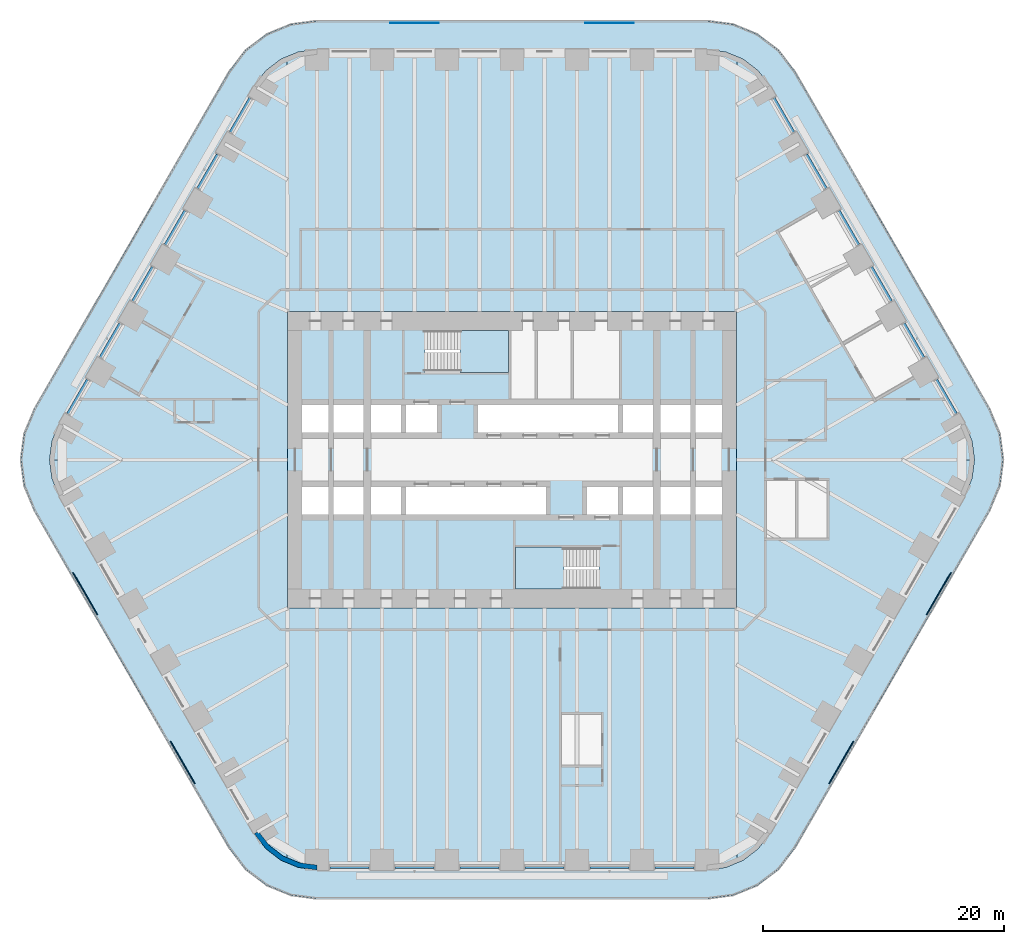
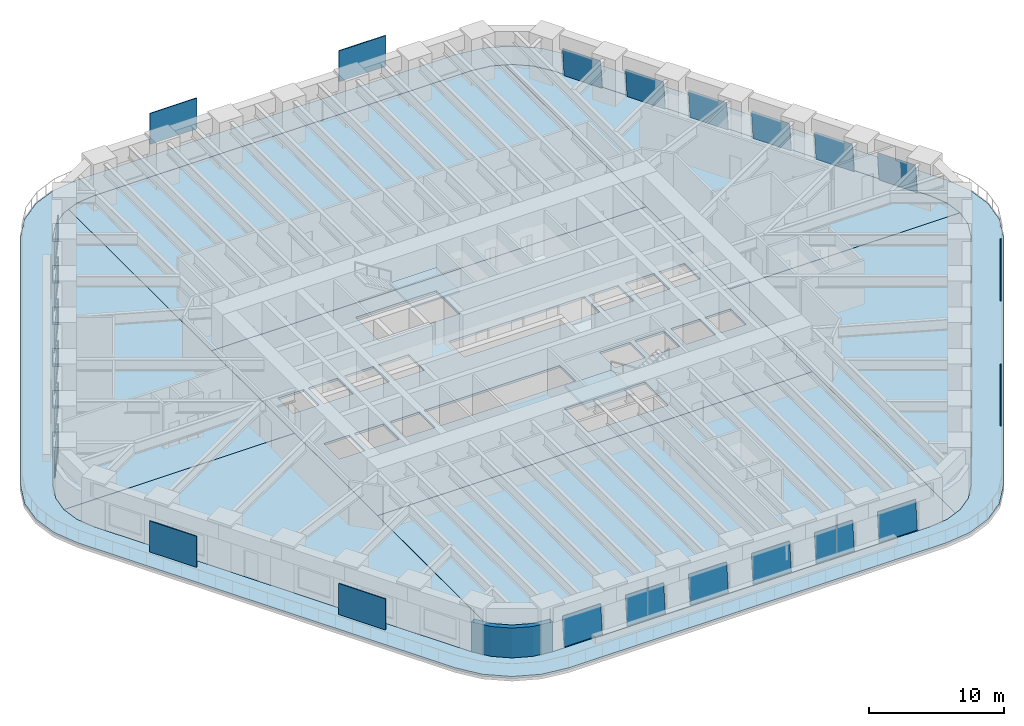
# One storey, part 15 of 23: 24 plates, 10 slabs, 1 wall, 20 elements without a shape of their own.
"""IFC4 building model written with IfcOpenShell, lengths in metres."""

from ifc_helpers import new_model, si_unit, direction, frame, origin, origin_2d, place, context, subcontext, project, spatial, polyline, rectangle, outline, extrude, material, layer, layer_set, type_object, element, aggregate, save


model = new_model("IFC4")

# Units and contexts
model_context = context("Model", 3, precision=1e-05, world=origin(), true_north=direction((0.0, 1.0)))
body_context = subcontext(model_context, "Body", "Model", "MODEL_VIEW")
ifc_project = project(units=[si_unit("LENGTHUNIT", "METRE"), si_unit("AREAUNIT", "SQUARE_METRE"), si_unit("VOLUMEUNIT", "CUBIC_METRE"), si_unit("PLANEANGLEUNIT", "RADIAN"), si_unit("MASSUNIT", "GRAM", prefix="KILO")], contexts=[model_context])

# Site, building, storey
site_placement = place(None, origin())
site = spatial("IfcSite", under=ifc_project, at=site_placement, CompositionType="ELEMENT")
building_placement = place(site_placement, origin())
building = spatial("IfcBuilding", under=site, at=building_placement, Name="Tarfa Lantern Tower", CompositionType="ELEMENT")
storey_placement = place(building_placement, frame((0.0, 0.0, 48.699951171875)))
storey = spatial("IfcBuildingStorey", under=building, at=storey_placement, Name="L10", CompositionType="ELEMENT", Elevation=48.699951171875)

# Slab
ifc_material_1 = material(Name="Concrete C40/50", Category="concrete")
ifc_layer_1 = layer(ifc_material_1, 0.199951171875)
ifc_layer_set_1 = layer_set([ifc_layer_1], Name="BS2 BALCONY SLAB 200")
slab_type_1 = type_object("IfcSlabType", Name="BS2 BALCONY SLAB 200", PredefinedType="FLOOR", material=ifc_layer_set_1)
slab_1_placement = place(storey_placement, frame((0.0, 0.0, -0.199951171875)))
element("IfcSlab", 1, at=slab_1_placement, inside=storey, type_object=slab_type_1, Name="Balcony L10", PredefinedType="FLOOR", context=body_context, shape_type="SweptSolid", body=[
    extrude(outline(polyline([(39.606201171875, 4.199951171875), (23.4404296875, 32.199951171875), (22.10546875, 33.939697265625), (20.36572265625, 35.274658203125), (18.33984375, 36.11376953125), (16.165771484375, 36.39990234375), (-16.165771484375, 36.39990234375), (-18.33984375, 36.11376953125), (-20.36572265625, 35.274658203125), (-22.10546875, 33.939697265625), (-23.4404296875, 32.199951171875), (-39.606201171875, 4.199951171875), (-40.4453125, 2.174072265625), (-40.731689453125, 0.0), (-40.4453125, -2.174072265625), (-39.606201171875, -4.199951171875), (-23.4404296875, -32.199951171875), (-22.10546875, -33.939697265625), (-20.36572265625, -35.274658203125), (-18.33984375, -36.11376953125), (-16.165771484375, -36.39990234375), (16.165771484375, -36.39990234375), (18.33984375, -36.11376953125), (20.36572265625, -35.274658203125), (22.10546875, -33.939697265625), (23.4404296875, -32.199951171875), (39.606201171875, -4.199951171875), (40.4453125, -2.174072265625), (40.731689453125, 0.0), (40.4453125, 2.174072265625), (39.606201171875, 4.199951171875)]), holes=[polyline([(37.52783203125, 3.0), (21.362060546875, 31.0), (20.408447265625, 32.24267578125), (19.165771484375, 33.196044921875), (17.71875, 33.795654296875), (16.165771484375, 34.0), (-16.165771484375, 34.0), (-17.71875, 33.795654296875), (-19.165771484375, 33.196044921875), (-20.408447265625, 32.24267578125), (-21.362060546875, 31.0), (-37.52783203125, 3.0), (-38.127197265625, 1.552978515625), (-38.33154296875, 0.0), (-38.127197265625, -1.552978515625), (-37.52783203125, -3.0), (-21.362060546875, -31.0), (-20.408447265625, -32.24267578125), (-19.165771484375, -33.196044921875), (-17.71875, -33.795654296875), (-16.165771484375, -34.0), (16.165771484375, -34.0), (17.71875, -33.795654296875), (19.165771484375, -33.196044921875), (20.408447265625, -32.24267578125), (21.362060546875, -31.0), (37.52783203125, -3.0), (38.127197265625, -1.552978515625), (38.33154296875, 0.0), (38.127197265625, 1.552978515625), (37.52783203125, 3.0)])]), origin(), (0.0, 0.0, 1.0), 0.199951171875),
])

# Curtain wall, plate
ifc_material_2 = material(Name="Aluminium framed curtain wall", Category="aluminium")
curtain_wall_type = type_object("IfcCurtainWallType", Name="CW1 CANTED GLAZING LOW ZONE 2700", PredefinedType="USERDEFINED", material=ifc_material_2)
curtain_wall_1_placement = place(storey_placement, origin())
curtain_wall_1 = element("IfcCurtainWall", 2, at=curtain_wall_1_placement, inside=storey, type_object=curtain_wall_type, Name="CW1 NE L10", ObjectType="CURTAIN WALL", PredefinedType="USERDEFINED")
ifc_material_3 = material(Name="Laminated double glazing", Category="glass")
ifc_layer_2 = layer(ifc_material_3, 0.028076171875)
ifc_layer_set_2 = layer_set([ifc_layer_2], Name="CWP1 DOUBLE GLAZED PANEL")
plate_type_1 = type_object("IfcPlateType", Name="CWP1 DOUBLE GLAZED PANEL", PredefinedType="CURTAIN_PANEL", material=ifc_layer_set_2)
plate_1_placement = place(storey_placement, frame((36.90869140625, 3.872314453125, 0.0), z_axis=(0.862338266797, 0.497864384763, 0.09221587717), x_axis=(-0.499995082658, 0.86602824279, 2.978908e-06)))
plate_1 = element("IfcPlate", 3, at=plate_1_placement, type_object=plate_type_1, Name="CW1 panel 1.1", PredefinedType="CURTAIN_PANEL", context=body_context, shape_type="SweptSolid", body=[
    extrude(outline(polyline([(0.0, 0.0), (3.258639560562134, 0.0), (3.2585208536427297, 2.646275738901332), (3.3621925729925773e-06, 2.646295235988971), (0.0, 0.0)])), origin(), (0.0, 0.0, -1.0), 0.028076171875),
])
aggregate(curtain_wall_1, [plate_1])

curtain_wall_2_placement = place(storey_placement, origin())
curtain_wall_2 = element("IfcCurtainWall", 4, at=curtain_wall_2_placement, inside=storey, type_object=curtain_wall_type, Name="CW1 NE L10", ObjectType="CURTAIN WALL", PredefinedType="USERDEFINED")
plate_2_placement = place(storey_placement, frame((34.21435546875, 8.5390625, 0.0), z_axis=(0.862325290636, 0.497894194109, 0.092176269198), x_axis=(-0.500022939057, 0.866012159509, 0.0)))
plate_2 = element("IfcPlate", 5, at=plate_2_placement, type_object=plate_type_1, Name="CW1 panel 1.1", PredefinedType="CURTAIN_PANEL", context=body_context, shape_type="SweptSolid", body=[
    extrude(outline(polyline([(0.0, 0.0), (3.2586395622623687, 0.0), (3.2585208519425555, 2.6462757409948594), (-0.0001187103198132533, 2.6462757409948594), (0.0, 0.0)])), origin(), (0.0, 0.0, -1.0), 0.028076171875),
])
aggregate(curtain_wall_2, [plate_2])

curtain_wall_3_placement = place(storey_placement, origin())
curtain_wall_3 = element("IfcCurtainWall", 6, at=curtain_wall_3_placement, inside=storey, type_object=curtain_wall_type, Name="CW1 NE L10", ObjectType="CURTAIN WALL", PredefinedType="USERDEFINED")
plate_3_placement = place(storey_placement, frame((31.52001953125, 13.20556640625, 0.0), z_axis=(0.862341934097, 0.49786650205, 0.092170140692), x_axis=(-0.499994605049, 0.866028518533, -2.977555e-06)))
plate_3 = element("IfcPlate", 7, at=plate_3_placement, type_object=plate_type_1, Name="CW1 panel 1.1", PredefinedType="CURTAIN_PANEL", context=body_context, shape_type="SweptSolid", body=[
    extrude(outline(polyline([(0.0, 0.0), (3.258517491508472, 2.7755575615628914e-17), (3.2587164564684317, 2.646283977845527), (7.689596458644864e-05, 2.6462644896978658), (0.0, 0.0)])), origin(), (0.0, 0.0, -1.0), 0.028076171875),
])
aggregate(curtain_wall_3, [plate_3])

curtain_wall_4_placement = place(storey_placement, origin())
curtain_wall_4 = element("IfcCurtainWall", 8, at=curtain_wall_4_placement, inside=storey, type_object=curtain_wall_type, Name="CW1 NE L10", ObjectType="CURTAIN WALL", PredefinedType="USERDEFINED")
plate_4_placement = place(storey_placement, frame((28.82568359375, 17.872314453125, 0.0), z_axis=(0.862338266797, 0.497864384763, 0.09221587717), x_axis=(-0.499994604812, 0.86602851867, -2.97902e-06)))
plate_4 = element("IfcPlate", 9, at=plate_4_placement, type_object=plate_type_1, Name="CW1 panel 1.1", PredefinedType="CURTAIN_PANEL", context=body_context, shape_type="SweptSolid", body=[
    extrude(outline(polyline([(0.0, 0.0), (3.2585174915084862, -2.7755575615628914e-17), (3.2585050197979823, 2.646295235961718), (-0.000134540705819584, 2.646275738143688), (0.0, 0.0)])), origin(), (0.0, 0.0, -1.0), 0.028076171875),
])
aggregate(curtain_wall_4, [plate_4])

curtain_wall_5_placement = place(storey_placement, origin())
curtain_wall_5 = element("IfcCurtainWall", 10, at=curtain_wall_5_placement, inside=storey, type_object=curtain_wall_type, Name="CW1 NE L10", ObjectType="CURTAIN WALL", PredefinedType="USERDEFINED")
plate_5_placement = place(storey_placement, frame((26.13134765625, 22.5390625, 0.0), z_axis=(0.862338266797, 0.497864384763, 0.09221587717), x_axis=(-0.499994604812, 0.86602851867, -2.97902e-06)))
plate_5 = element("IfcPlate", 11, at=plate_5_placement, type_object=plate_type_1, Name="CW1 panel 1.1", PredefinedType="CURTAIN_PANEL", context=body_context, shape_type="SweptSolid", body=[
    extrude(outline(polyline([(0.0, 0.0), (3.2585174915084862, -2.7755575615628914e-17), (3.2585050197979823, 2.646295235961718), (-0.000134540705819584, 2.646275738143688), (0.0, 0.0)])), origin(), (0.0, 0.0, -1.0), 0.028076171875),
])
aggregate(curtain_wall_5, [plate_5])

curtain_wall_6_placement = place(storey_placement, origin())
curtain_wall_6 = element("IfcCurtainWall", 12, at=curtain_wall_6_placement, inside=storey, type_object=curtain_wall_type, Name="CW1 NE L10", ObjectType="CURTAIN WALL", PredefinedType="USERDEFINED")
plate_6_placement = place(storey_placement, frame((23.437255859375, 27.20556640625, 0.0), z_axis=(0.862341934097, 0.49786650205, 0.092170140692), x_axis=(-0.499995082421, 0.866028242926, 2.977443e-06)))
plate_6 = element("IfcPlate", 13, at=plate_6_placement, type_object=plate_type_1, Name="CW1 panel 1.1", PredefinedType="CURTAIN_PANEL", context=body_context, shape_type="SweptSolid", body=[
    extrude(outline(polyline([(0.0, 0.0), (3.2586395605621195, -2.7755575615628914e-17), (3.2587322823927347, 2.64626448919067), (0.0002147909425344405, 2.6462839766083026), (0.0, 0.0)])), origin(), (0.0, 0.0, -1.0), 0.028076171875),
])
aggregate(curtain_wall_6, [plate_6])

curtain_wall_7_placement = place(storey_placement, origin())
curtain_wall_7 = element("IfcCurtainWall", 14, at=curtain_wall_7_placement, inside=storey, type_object=curtain_wall_type, Name="CW1 NW L10", ObjectType="CURTAIN WALL", PredefinedType="USERDEFINED")
plate_7_placement = place(storey_placement, frame((-21.807861328125, 30.027587890625, 0.0), z_axis=(-0.862341934097, 0.49786650205, 0.092170140692), x_axis=(-0.499995082421, -0.866028242926, -2.977443e-06)))
plate_7 = element("IfcPlate", 15, at=plate_7_placement, type_object=plate_type_1, Name="CW1 panel 1.1", PredefinedType="CURTAIN_PANEL", context=body_context, shape_type="SweptSolid", body=[
    extrude(outline(polyline([(0.0, 0.0), (3.2586395605621195, 2.7755575615628914e-17), (3.2584247696195847, 2.6462839766083026), (-9.272183061532521e-05, 2.64626448919067), (0.0, 0.0)])), origin(), (0.0, 0.0, -1.0), 0.028076171875),
])
aggregate(curtain_wall_7, [plate_7])

curtain_wall_8_placement = place(storey_placement, origin())
curtain_wall_8 = element("IfcCurtainWall", 16, at=curtain_wall_8_placement, inside=storey, type_object=curtain_wall_type, Name="CW1 NW L10", ObjectType="CURTAIN WALL", PredefinedType="USERDEFINED")
plate_8_placement = place(storey_placement, frame((-24.502197265625, 25.361083984375, 0.0), z_axis=(-0.862338266797, 0.497864384763, 0.09221587717), x_axis=(-0.499994604812, -0.86602851867, 2.97902e-06)))
plate_8 = element("IfcPlate", 17, at=plate_8_placement, type_object=plate_type_1, Name="CW1 panel 1.1", PredefinedType="CURTAIN_PANEL", context=body_context, shape_type="SweptSolid", body=[
    extrude(outline(polyline([(0.0, 0.0), (3.2585174915084862, 2.7755575615628914e-17), (3.2586520322143055, 2.646275738143688), (1.2471710504126e-05, 2.646295235961718), (0.0, 0.0)])), origin(), (0.0, 0.0, -1.0), 0.028076171875),
])
aggregate(curtain_wall_8, [plate_8])

curtain_wall_9_placement = place(storey_placement, origin())
curtain_wall_9 = element("IfcCurtainWall", 18, at=curtain_wall_9_placement, inside=storey, type_object=curtain_wall_type, Name="CW1 NW L10", ObjectType="CURTAIN WALL", PredefinedType="USERDEFINED")
plate_9_placement = place(storey_placement, frame((-27.196533203125, 20.6943359375, 0.0), z_axis=(-0.862338266797, 0.497864384763, 0.09221587717), x_axis=(-0.499994604812, -0.86602851867, 2.97902e-06)))
plate_9 = element("IfcPlate", 19, at=plate_9_placement, type_object=plate_type_1, Name="CW1 panel 1.1", PredefinedType="CURTAIN_PANEL", context=body_context, shape_type="SweptSolid", body=[
    extrude(outline(polyline([(0.0, 0.0), (3.2585174915084862, 2.7755575615628914e-17), (3.2586520322143055, 2.646275738143688), (1.2471710504126e-05, 2.646295235961718), (0.0, 0.0)])), origin(), (0.0, 0.0, -1.0), 0.028076171875),
])
aggregate(curtain_wall_9, [plate_9])

curtain_wall_10_placement = place(storey_placement, origin())
curtain_wall_10 = element("IfcCurtainWall", 20, at=curtain_wall_10_placement, inside=storey, type_object=curtain_wall_type, Name="CW1 NW L10", ObjectType="CURTAIN WALL", PredefinedType="USERDEFINED")
plate_10_placement = place(storey_placement, frame((-29.890869140625, 16.027587890625, 0.0), z_axis=(-0.862341934097, 0.49786650205, 0.092170140692), x_axis=(-0.499994605049, -0.866028518533, 2.977555e-06)))
plate_10 = element("IfcPlate", 21, at=plate_10_placement, type_object=plate_type_1, Name="CW1 panel 1.1", PredefinedType="CURTAIN_PANEL", context=body_context, shape_type="SweptSolid", body=[
    extrude(outline(polyline([(0.0, 0.0), (3.258517491508472, -2.7755575615628914e-17), (3.258440595543886, 2.6462644896978658), (-0.00019896495995976314, 2.646283977845527), (0.0, 0.0)])), origin(), (0.0, 0.0, -1.0), 0.028076171875),
])
aggregate(curtain_wall_10, [plate_10])

curtain_wall_11_placement = place(storey_placement, origin())
curtain_wall_11 = element("IfcCurtainWall", 22, at=curtain_wall_11_placement, inside=storey, type_object=curtain_wall_type, Name="CW1 NW L10", ObjectType="CURTAIN WALL", PredefinedType="USERDEFINED")
plate_11_placement = place(storey_placement, frame((-32.5849609375, 11.361083984375, 0.0), z_axis=(-0.862325290636, 0.497894194109, 0.092176269198), x_axis=(-0.500022939057, -0.866012159509, 0.0)))
plate_11 = element("IfcPlate", 23, at=plate_11_placement, type_object=plate_type_1, Name="CW1 panel 1.1", PredefinedType="CURTAIN_PANEL", context=body_context, shape_type="SweptSolid", body=[
    extrude(outline(polyline([(0.0, 0.0), (3.2586395622623687, 0.0), (3.258758272582182, 2.6462757409948594), (0.0001187103198132533, 2.6462757409948594), (0.0, 0.0)])), origin(), (0.0, 0.0, -1.0), 0.028076171875),
])
aggregate(curtain_wall_11, [plate_11])

curtain_wall_12_placement = place(storey_placement, origin())
curtain_wall_12 = element("IfcCurtainWall", 24, at=curtain_wall_12_placement, inside=storey, type_object=curtain_wall_type, Name="CW1 NW L10", ObjectType="CURTAIN WALL", PredefinedType="USERDEFINED")
plate_12_placement = place(storey_placement, frame((-35.279296875, 6.6943359375, 0.0), z_axis=(-0.862338266797, 0.497864384763, 0.09221587717), x_axis=(-0.499995082658, -0.86602824279, -2.978908e-06)))
plate_12 = element("IfcPlate", 25, at=plate_12_placement, type_object=plate_type_1, Name="CW1 panel 1.1", PredefinedType="CURTAIN_PANEL", context=body_context, shape_type="SweptSolid", body=[
    extrude(outline(polyline([(0.0, 0.0), (3.258639560562134, 0.0), (3.258636198369561, 2.646295235988971), (0.00011870691940396534, 2.646275738901332), (0.0, 0.0)])), origin(), (0.0, 0.0, -1.0), 0.028076171875),
])
aggregate(curtain_wall_12, [plate_12])

curtain_wall_13_placement = place(storey_placement, origin())
curtain_wall_13 = element("IfcCurtainWall", 26, at=curtain_wall_13_placement, inside=storey, type_object=curtain_wall_type, Name="CW1 S L10", ObjectType="CURTAIN WALL", PredefinedType="USERDEFINED")
plate_13_placement = place(storey_placement, frame((-15.100830078125, -33.89990234375, 0.0), z_axis=(0.0, -0.995743653657, 0.092166025202), x_axis=(1.0, 0.0, 0.0)))
plate_13 = element("IfcPlate", 27, at=plate_13_placement, type_object=plate_type_1, Name="CW1 panel 1.1", PredefinedType="CURTAIN_PANEL", context=body_context, shape_type="SweptSolid", body=[
    extrude(outline(polyline([(0.0, 0.0), (3.258544921875, 0.0), (3.258544921875, 2.6462732209712594), (0.0, 2.6462732209712594), (0.0, 0.0)])), origin(), (0.0, 0.0, -1.0), 0.028076171875),
])
aggregate(curtain_wall_13, [plate_13])

curtain_wall_14_placement = place(storey_placement, origin())
curtain_wall_14 = element("IfcCurtainWall", 28, at=curtain_wall_14_placement, inside=storey, type_object=curtain_wall_type, Name="CW1 S L10", ObjectType="CURTAIN WALL", PredefinedType="USERDEFINED")
plate_14_placement = place(storey_placement, frame((-9.712158203125, -33.89990234375, 0.0), z_axis=(0.0, -0.995743653657, 0.092166025202), x_axis=(1.0, 0.0, 0.0)))
plate_14 = element("IfcPlate", 29, at=plate_14_placement, type_object=plate_type_1, Name="CW1 panel 1.1", PredefinedType="CURTAIN_PANEL", context=body_context, shape_type="SweptSolid", body=[
    extrude(outline(polyline([(0.0, 0.0), (3.258544921875, 0.0), (3.258544921875, 2.6462732209712594), (0.0, 2.6462732209712594), (0.0, 0.0)])), origin(), (0.0, 0.0, -1.0), 0.028076171875),
])
aggregate(curtain_wall_14, [plate_14])

curtain_wall_15_placement = place(storey_placement, origin())
curtain_wall_15 = element("IfcCurtainWall", 30, at=curtain_wall_15_placement, inside=storey, type_object=curtain_wall_type, Name="CW1 S L10", ObjectType="CURTAIN WALL", PredefinedType="USERDEFINED")
plate_15_placement = place(storey_placement, frame((-4.323486328125, -33.89990234375, 0.0), z_axis=(0.0, -0.995743653657, 0.092166025202), x_axis=(1.0, 0.0, 0.0)))
plate_15 = element("IfcPlate", 31, at=plate_15_placement, type_object=plate_type_1, Name="CW1 panel 1.1", PredefinedType="CURTAIN_PANEL", context=body_context, shape_type="SweptSolid", body=[
    extrude(outline(polyline([(0.0, 0.0), (3.258544921875, 0.0), (3.258544921875, 2.6462732209712594), (0.0, 2.6462732209712594), (0.0, 0.0)])), origin(), (0.0, 0.0, -1.0), 0.028076171875),
])
aggregate(curtain_wall_15, [plate_15])

curtain_wall_16_placement = place(storey_placement, origin())
curtain_wall_16 = element("IfcCurtainWall", 32, at=curtain_wall_16_placement, inside=storey, type_object=curtain_wall_type, Name="CW1 S L10", ObjectType="CURTAIN WALL", PredefinedType="USERDEFINED")
plate_16_placement = place(storey_placement, frame((1.06494140625, -33.89990234375, 0.0), z_axis=(0.0, -0.995743653657, 0.092166025202), x_axis=(1.0, 0.0, 0.0)))
plate_16 = element("IfcPlate", 33, at=plate_16_placement, type_object=plate_type_1, Name="CW1 panel 1.1", PredefinedType="CURTAIN_PANEL", context=body_context, shape_type="SweptSolid", body=[
    extrude(outline(polyline([(0.0, 0.0), (3.258544921875, 0.0), (3.258544921875, 2.6462732209712594), (0.0, 2.6462732209712594), (0.0, 0.0)])), origin(), (0.0, 0.0, -1.0), 0.028076171875),
])
aggregate(curtain_wall_16, [plate_16])

curtain_wall_17_placement = place(storey_placement, origin())
curtain_wall_17 = element("IfcCurtainWall", 34, at=curtain_wall_17_placement, inside=storey, type_object=curtain_wall_type, Name="CW1 S L10", ObjectType="CURTAIN WALL", PredefinedType="USERDEFINED")
plate_17_placement = place(storey_placement, frame((6.45361328125, -33.89990234375, 0.0), z_axis=(0.0, -0.995743653657, 0.092166025202), x_axis=(1.0, 0.0, 0.0)))
plate_17 = element("IfcPlate", 35, at=plate_17_placement, type_object=plate_type_1, Name="CW1 panel 1.1", PredefinedType="CURTAIN_PANEL", context=body_context, shape_type="SweptSolid", body=[
    extrude(outline(polyline([(0.0, 0.0), (3.258544921875, 0.0), (3.258544921875, 2.6462732209712594), (0.0, 2.6462732209712594), (0.0, 0.0)])), origin(), (0.0, 0.0, -1.0), 0.028076171875),
])
aggregate(curtain_wall_17, [plate_17])

curtain_wall_18_placement = place(storey_placement, origin())
curtain_wall_18 = element("IfcCurtainWall", 36, at=curtain_wall_18_placement, inside=storey, type_object=curtain_wall_type, Name="CW1 S L10", ObjectType="CURTAIN WALL", PredefinedType="USERDEFINED")
plate_18_placement = place(storey_placement, frame((11.84228515625, -33.89990234375, 0.0), z_axis=(0.0, -0.995743653657, 0.092166025202), x_axis=(1.0, 0.0, 0.0)))
plate_18 = element("IfcPlate", 37, at=plate_18_placement, type_object=plate_type_1, Name="CW1 panel 1.1", PredefinedType="CURTAIN_PANEL", context=body_context, shape_type="SweptSolid", body=[
    extrude(outline(polyline([(0.0, 0.0), (3.258544921875, 0.0), (3.258544921875, 2.6462732209712594), (0.0, 2.6462732209712594), (0.0, 0.0)])), origin(), (0.0, 0.0, -1.0), 0.028076171875),
])
aggregate(curtain_wall_18, [plate_18])

# Slabs
ifc_layer_3 = layer(ifc_material_1, 0.199951171875)
ifc_layer_set_3 = layer_set([ifc_layer_3], Name="FS1 FLOOR SLAB 200")
slab_type_2 = type_object("IfcSlabType", Name="FS1 FLOOR SLAB 200", PredefinedType="FLOOR", material=ifc_layer_set_3)
slab_2_placement = place(storey_placement, frame((0.0, 0.0, -0.199951171875)))
element("IfcSlab", 38, at=slab_2_placement, inside=storey, type_object=slab_type_2, Name="Floor slab L10", PredefinedType="FLOOR", context=body_context, shape_type="SweptSolid", body=[
    extrude(outline(polyline([(-18.60009765625, -12.300048828125), (18.60009765625, -12.300048828125), (18.60009765625, 12.300048828125), (-18.60009765625, 12.300048828125), (-18.60009765625, -12.300048828125)]), holes=[polyline([(-17.39990234375, 2.25), (-15.199951171875, 2.25), (-15.199951171875, 4.550048828125), (-17.39990234375, 4.550048828125), (-17.39990234375, 2.25)]), polyline([(-14.800048828125, 2.25), (-12.300048828125, 2.25), (-12.300048828125, 4.550048828125), (-14.800048828125, 4.550048828125), (-14.800048828125, 2.25)]), polyline([(-11.699951171875, 2.25), (-9.199951171875, 2.25), (-9.199951171875, 4.550048828125), (-11.699951171875, 4.550048828125), (-11.699951171875, 2.25)]), polyline([(-8.800048828125, 2.25), (-6.199951171875, 2.25), (-6.199951171875, 4.550048828125), (-8.800048828125, 4.550048828125), (-8.800048828125, 2.25)]), polyline([(-2.800048828125, 2.25), (8.800048828125, 2.25), (8.800048828125, 4.550048828125), (-2.800048828125, 4.550048828125), (-2.800048828125, 2.25)]), polyline([(9.199951171875, 2.25), (11.699951171875, 2.25), (11.699951171875, 4.550048828125), (9.199951171875, 4.550048828125), (9.199951171875, 2.25)]), polyline([(12.300048828125, 2.25), (14.800048828125, 2.25), (14.800048828125, 4.550048828125), (12.300048828125, 4.550048828125), (12.300048828125, 2.25)]), polyline([(15.199951171875, 2.25), (17.39990234375, 2.25), (17.39990234375, 4.550048828125), (15.199951171875, 4.550048828125), (15.199951171875, 2.25)]), polyline([(17.39990234375, -2.25), (15.199951171875, -2.25), (15.199951171875, -4.550048828125), (17.39990234375, -4.550048828125), (17.39990234375, -2.25)]), polyline([(14.800048828125, -2.25), (12.300048828125, -2.25), (12.300048828125, -4.550048828125), (14.800048828125, -4.550048828125), (14.800048828125, -2.25)]), polyline([(11.699951171875, -2.25), (9.199951171875, -2.25), (9.199951171875, -4.550048828125), (11.699951171875, -4.550048828125), (11.699951171875, -2.25)]), polyline([(8.800048828125, -2.25), (6.199951171875, -2.25), (6.199951171875, -4.550048828125), (8.800048828125, -4.550048828125), (8.800048828125, -2.25)]), polyline([(2.800048828125, -2.25), (-8.800048828125, -2.25), (-8.800048828125, -4.550048828125), (2.800048828125, -4.550048828125), (2.800048828125, -2.25)]), polyline([(-9.199951171875, -2.25), (-11.699951171875, -2.25), (-11.699951171875, -4.550048828125), (-9.199951171875, -4.550048828125), (-9.199951171875, -2.25)]), polyline([(-12.300048828125, -2.25), (-14.800048828125, -2.25), (-14.800048828125, -4.550048828125), (-12.300048828125, -4.550048828125), (-12.300048828125, -2.25)]), polyline([(-15.199951171875, -2.25), (-17.39990234375, -2.25), (-17.39990234375, -4.550048828125), (-15.199951171875, -4.550048828125), (-15.199951171875, -2.25)]), polyline([(-7.199951171875, 7.25), (-0.300048828125, 7.25), (-0.300048828125, 10.699951171875), (-7.199951171875, 10.699951171875), (-7.199951171875, 7.25)]), polyline([(7.199951171875, -7.25), (0.300048828125, -7.25), (0.300048828125, -10.699951171875), (7.199951171875, -10.699951171875), (7.199951171875, -7.25)])]), origin(), (0.0, 0.0, 1.0), 0.199951171875),
])
slab_3_placement = place(storey_placement, frame((0.0, 0.0, -0.199951171875)))
element("IfcSlab", 39, at=slab_3_placement, inside=storey, type_object=slab_type_2, Name="Floor slab L10 NE bay", PredefinedType="FLOOR", context=body_context, shape_type="SweptSolid", body=[
    extrude(outline(polyline([(37.52587890625, 2.9990234375), (21.3603515625, 30.998779296875), (20.406982421875, 32.2412109375), (19.164794921875, 33.1943359375), (18.64697265625, 33.408935546875), (18.60205078125, 12.300048828125), (18.60205078125, 0.001953125), (38.329345703125, 0.001953125), (38.125244140625, 1.552490234375), (37.52587890625, 2.9990234375)])), origin(), (0.0, 0.0, 1.0), 0.199951171875),
])
slab_4_placement = place(storey_placement, frame((0.0, 0.0, -0.199951171875)))
element("IfcSlab", 40, at=slab_4_placement, inside=storey, type_object=slab_type_2, Name="Floor slab L10 N bay", PredefinedType="FLOOR", context=body_context, shape_type="SweptSolid", body=[
    extrude(outline(polyline([(-18.597900390625, 12.302001953125), (18.597900390625, 12.302001953125), (18.64306640625, 33.41064453125), (17.71826171875, 33.793701171875), (16.165771484375, 33.998046875), (-16.165771484375, 33.998046875), (-17.71826171875, 33.793701171875), (-18.64306640625, 33.41064453125), (-18.597900390625, 12.302001953125)])), origin(), (0.0, 0.0, 1.0), 0.199951171875),
])
slab_5_placement = place(storey_placement, frame((0.0, 0.0, -0.199951171875)))
element("IfcSlab", 41, at=slab_5_placement, inside=storey, type_object=slab_type_2, Name="Floor slab L10 NW bay", PredefinedType="FLOOR", context=body_context, shape_type="SweptSolid", body=[
    extrude(outline(polyline([(-18.60205078125, 0.001953125), (-18.60205078125, 12.300048828125), (-18.64697265625, 33.408935546875), (-19.164794921875, 33.1943359375), (-20.406982421875, 32.2412109375), (-21.3603515625, 30.998779296875), (-37.52587890625, 2.9990234375), (-38.125244140625, 1.552490234375), (-38.329345703125, 0.001953125), (-18.60205078125, 0.001953125)])), origin(), (0.0, 0.0, 1.0), 0.199951171875),
])
slab_6_placement = place(storey_placement, frame((0.0, 0.0, -0.199951171875)))
element("IfcSlab", 42, at=slab_6_placement, inside=storey, type_object=slab_type_2, Name="Floor slab L10 SW bay", PredefinedType="FLOOR", context=body_context, shape_type="SweptSolid", body=[
    extrude(outline(polyline([(-18.60205078125, -12.300048828125), (-18.60205078125, -0.001953125), (-38.329345703125, -0.001953125), (-38.125244140625, -1.552490234375), (-37.52587890625, -2.9990234375), (-21.3603515625, -30.998779296875), (-20.406982421875, -32.2412109375), (-19.164794921875, -33.1943359375), (-18.64697265625, -33.408935546875), (-18.60205078125, -12.300048828125)])), origin(), (0.0, 0.0, 1.0), 0.199951171875),
])
slab_7_placement = place(storey_placement, frame((0.0, 0.0, -0.199951171875)))
element("IfcSlab", 43, at=slab_7_placement, inside=storey, type_object=slab_type_2, Name="Floor slab L10 S bay", PredefinedType="FLOOR", context=body_context, shape_type="SweptSolid", body=[
    extrude(outline(polyline([(18.597900390625, -12.302001953125), (-18.597900390625, -12.302001953125), (-18.64306640625, -33.41064453125), (-17.71826171875, -33.793701171875), (-16.165771484375, -33.998046875), (16.165771484375, -33.998046875), (17.71826171875, -33.793701171875), (18.64306640625, -33.41064453125), (18.597900390625, -12.302001953125)])), origin(), (0.0, 0.0, 1.0), 0.199951171875),
])
slab_8_placement = place(storey_placement, frame((0.0, 0.0, -0.199951171875)))
element("IfcSlab", 44, at=slab_8_placement, inside=storey, type_object=slab_type_2, Name="Floor slab L10 SE bay", PredefinedType="FLOOR", context=body_context, shape_type="SweptSolid", body=[
    extrude(outline(polyline([(18.60205078125, -0.001953125), (18.60205078125, -12.300048828125), (18.64697265625, -33.408935546875), (19.164794921875, -33.1943359375), (20.406982421875, -32.2412109375), (21.3603515625, -30.998779296875), (37.52587890625, -2.9990234375), (38.125244140625, -1.552490234375), (38.329345703125, -0.001953125), (18.60205078125, -0.001953125)])), origin(), (0.0, 0.0, 1.0), 0.199951171875),
])

# Plates
ifc_material_4 = material(Name="Perforated limestone screen", Category="masonry")
ifc_layer_4 = layer(ifc_material_4, 0.080078125)
ifc_layer_set_4 = layer_set([ifc_layer_4], Name="SC1 STONE SCREEN 80")
plate_type_2 = type_object("IfcPlateType", Name="SC1 STONE SCREEN 80", PredefinedType="USERDEFINED", material=ifc_layer_set_4)
for number, where, z_axis, x_axis, name in (
    (45, (8.0830078125, 36.199951171875, 1.2001953125), (0.0, 0.0, 1.0), (-1.0, 0.0, 0.0), "Stone screen N 1"),
    (46, (-8.0830078125, 36.199951171875, 1.2001953125), (0.0, 0.0, 1.0), (-1.0, 0.0, 0.0), "Stone screen N 2"),
    (47, (-35.3916015625, -11.10009765625, 1.2001953125), (0.0, 0.0, 1.0), (0.5, -0.866025403784, 0.0), "Stone screen SW 1"),
    (48, (-27.30859375, -25.10009765625, 1.2001953125), (0.0, 0.0, 1.0), (0.5, -0.866025403784, 0.0), "Stone screen SW 2"),
    (49, (27.30859375, -25.10009765625, 1.2001953125), (0.0, 0.0, 1.0), (0.5, 0.866025403784, 0.0), "Stone screen SE 1"),
    (50, (35.3916015625, -11.10009765625, 1.2001953125), (0.0, 0.0, 1.0), (0.5, 0.866025403784, 0.0), "Stone screen SE 2"),
):
    element("IfcPlate", number, at=place(storey_placement, frame(where, z_axis=z_axis, x_axis=x_axis)), inside=storey, type_object=plate_type_2, Name=name, ObjectType="SCREEN", PredefinedType="USERDEFINED", context=body_context, shape_type="SweptSolid", body=[
        extrude(rectangle(XDim=4.0, YDim=0.080078125, at=origin_2d()), origin(), (0.0, 0.0, 1.0), 2.800048828125),
    ])

# Stair, slab
stair_type = type_object("IfcStairType", Name="ST-T10 HALF-TURN STAIR 4200 RISE", PredefinedType="HALF_TURN_STAIR", material=ifc_material_1)
stair_1_placement = place(storey_placement, origin())
stair_1 = element("IfcStair", 51, at=stair_1_placement, inside=storey, type_object=stair_type, Name="Stair ST1", PredefinedType="HALF_TURN_STAIR")
ifc_layer_5 = layer(ifc_material_1, 0.199951171875)
ifc_layer_set_5 = layer_set([ifc_layer_5], Name="SL1 STAIR LANDING 200")
slab_type_3 = type_object("IfcSlabType", Name="SL1 STAIR LANDING 200", PredefinedType="LANDING", material=ifc_layer_set_5)
slab_9_placement = place(storey_placement, frame((0.0, 0.0, 1.900146484375)))
slab_9 = element("IfcSlab", 52, at=slab_9_placement, type_object=slab_type_3, Name="ST1 landing 1", PredefinedType="LANDING", context=body_context, shape_type="SweptSolid", body=[
    extrude(outline(polyline([(-4.320068359375, 7.25), (-0.300048828125, 7.25), (-0.300048828125, 10.699951171875), (-4.320068359375, 10.699951171875), (-4.320068359375, 7.25)])), origin(), (0.0, 0.0, 1.0), 0.199951171875),
])
aggregate(stair_1, [slab_9])

stair_2_placement = place(storey_placement, origin())
stair_2 = element("IfcStair", 53, at=stair_2_placement, inside=storey, type_object=stair_type, Name="Stair ST2", PredefinedType="HALF_TURN_STAIR")
slab_10_placement = place(storey_placement, frame((0.0, 0.0, 1.900146484375)))
slab_10 = element("IfcSlab", 54, at=slab_10_placement, type_object=slab_type_3, Name="ST2 landing 1", PredefinedType="LANDING", context=body_context, shape_type="SweptSolid", body=[
    extrude(outline(polyline([(4.320068359375, -7.25), (0.300048828125, -7.25), (0.300048828125, -10.699951171875), (4.320068359375, -10.699951171875), (4.320068359375, -7.25)])), origin(), (0.0, 0.0, 1.0), 0.199951171875),
])
aggregate(stair_2, [slab_10])

# Wall
ifc_material_5 = material(Name="Limestone cladding on blockwork", Category="masonry")
ifc_layer_6 = layer(ifc_material_5, 0.39990234375)
ifc_layer_set_6 = layer_set([ifc_layer_6], Name="EW2 CURVED STONE CORNER 400")
wall_type = type_object("IfcWallType", Name="EW2 CURVED STONE CORNER 400", PredefinedType="SOLIDWALL", material=ifc_layer_set_6)
wall_placement = place(storey_placement, origin())
element("IfcWall", 55, at=wall_placement, inside=storey, type_object=wall_type, Name="Stone corner SW-S", PredefinedType="SOLIDWALL", context=body_context, shape_type="SweptSolid", body=[
    extrude(outline(polyline([(-21.362060546875, -31.0), (-20.408447265625, -32.24267578125), (-19.165771484375, -33.196044921875), (-17.71875, -33.795654296875), (-16.165771484375, -34.0), (-16.165771484375, -33.60009765625), (-17.615234375, -33.4091796875), (-18.9658203125, -32.849853515625), (-20.12548828125, -31.959716796875), (-21.015625, -30.800048828125), (-21.362060546875, -31.0)])), origin(), (0.0, 0.0, 1.0), 2.699951171875),
])

save(model, "model.ifc")
